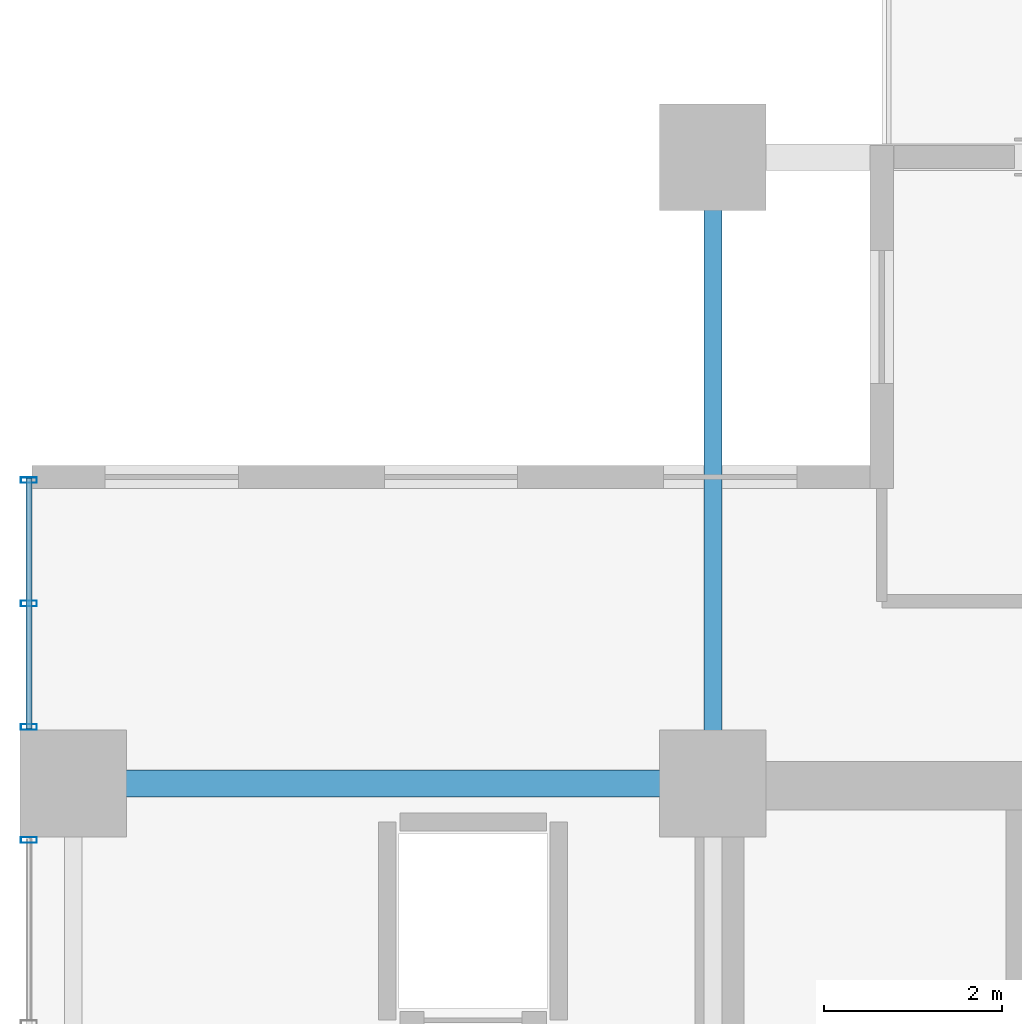
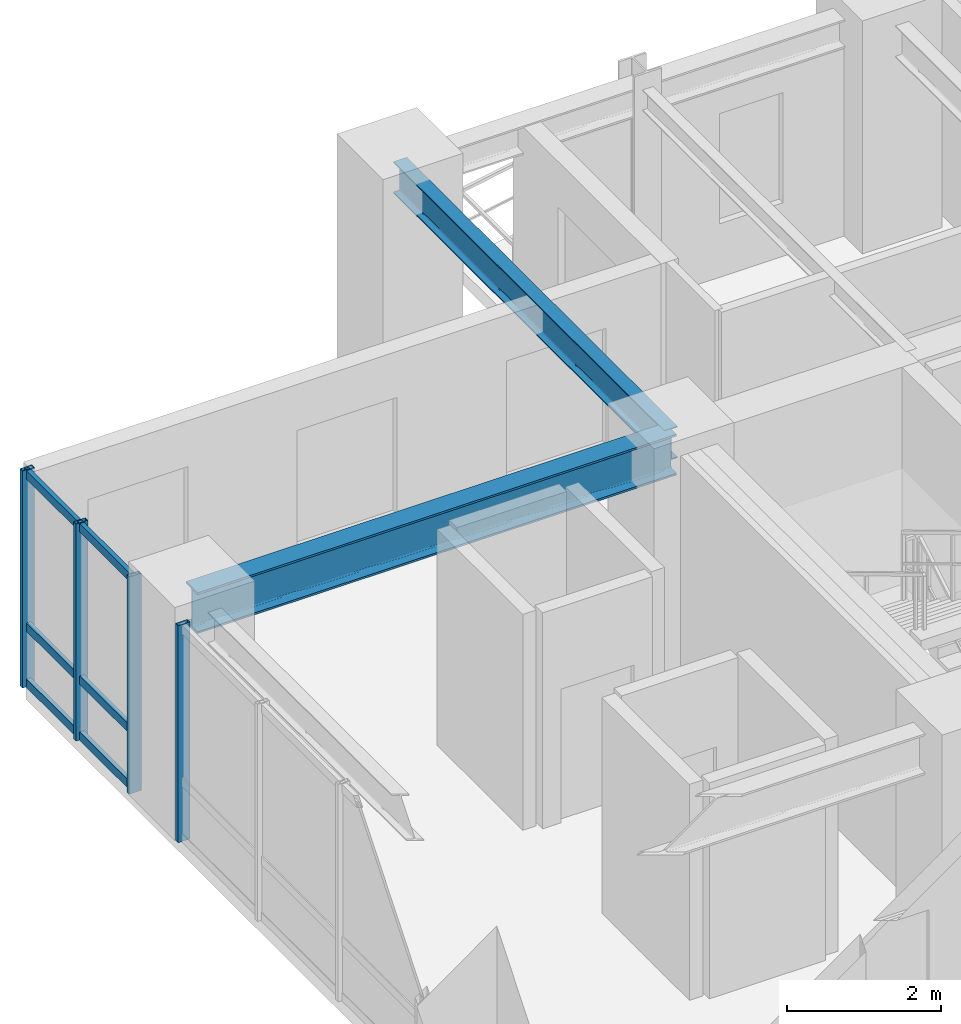
# One storey, part 6 of 17: 7 members, 2 beams, 2 elements without a shape of their own.
"""IFC4 building model written with IfcOpenShell, lengths in metres."""

from ifc_helpers import new_model, si_unit, direction, frame, origin, origin_2d, place, context, subcontext, project, spatial, hollow_rectangle, i_section, extrude, source, transform, mapped, material, layer, layer_set, material_profile, profile_set, type_object, element, aggregate, save


model = new_model("IFC4")

# Units and contexts
model_context = context("Model", 3, precision=1e-05, world=origin(), true_north=direction((0.0, 1.0)))
body_context = subcontext(model_context, "Body", "Model", "MODEL_VIEW")
ifc_project = project(units=[si_unit("LENGTHUNIT", "METRE"), si_unit("AREAUNIT", "SQUARE_METRE"), si_unit("VOLUMEUNIT", "CUBIC_METRE"), si_unit("PLANEANGLEUNIT", "RADIAN"), si_unit("MASSUNIT", "GRAM", prefix="KILO")], contexts=[model_context])

# Site, building, storey
site_placement = place(None, origin())
site = spatial("IfcSite", under=ifc_project, at=site_placement, CompositionType="ELEMENT")
building_placement = place(site_placement, origin())
building = spatial("IfcBuilding", under=site, at=building_placement, Name="Kaliganga Portal Commons", CompositionType="ELEMENT")
storey_placement = place(building_placement, frame((0.0, 0.0, 108.199951171875)))
storey = spatial("IfcBuildingStorey", under=building, at=storey_placement, Name="L27", CompositionType="ELEMENT", Elevation=108.199951171875)

# Beams
ifc_material_1 = material(Name="Structural steel S355J2", Category="steel")
ifc_material_profile_1 = material_profile(ifc_material_1, i_section(OverallWidth=0.300048828125, OverallDepth=0.64990234375, WebThickness=0.01611328125, FlangeThickness=0.031005859375, FilletRadius=0.027099609375, at=origin_2d()), Name="HE 650 B")
ifc_profile_set_1 = profile_set([ifc_material_profile_1], Name="Structural steel S355J2 wide-flange")
beam_type_1 = type_object("IfcBeamType", Name="BM-GIRD-650", PredefinedType="USERDEFINED", material=ifc_profile_set_1)
shared_shape_1 = source(origin(), body_context, "Body", "SweptSolid", [
    extrude(i_section(OverallWidth=0.300048828125, OverallDepth=0.64990234375, WebThickness=0.01611328125, FlangeThickness=0.031005859375, FilletRadius=0.027099609375, at=origin_2d()), origin(), (0.0, 0.0, 1.0), 7.199951171875),
])
beam_1_placement = place(storey_placement, frame((7.199951171875, 36.14990234375, 3.125), z_axis=(1.0, 0.0, 0.0), x_axis=(0.0, 1.0, 0.0)))
element("IfcBeam", 1, at=beam_1_placement, inside=storey, type_object=beam_type_1, Name="BM G L27 WAH_N 1", ObjectType="GIRDER", PredefinedType="USERDEFINED", context=body_context, shape_type="MappedRepresentation", body=[
    mapped(shared_shape_1, transform((0.0, 0.0, 0.0), x_axis=(1.0, 0.0, 0.0), y_axis=(0.0, 1.0, 0.0), z_axis=(0.0, 0.0, 1.0), scale=1.0)),
])
ifc_material_profile_2 = material_profile(ifc_material_1, i_section(OverallWidth=0.199951171875, OverallDepth=0.5, WebThickness=0.01025390625, FlangeThickness=0.01611328125, FilletRadius=0.02099609375, at=origin_2d()), Name="IPE 500")
ifc_profile_set_2 = profile_set([ifc_material_profile_2], Name="Structural steel S355J2 wide-flange")
beam_type_2 = type_object("IfcBeamType", Name="BM-FLR-500", PredefinedType="BEAM", material=ifc_profile_set_2)
shared_shape_2 = source(origin(), body_context, "Body", "SweptSolid", [
    extrude(i_section(OverallWidth=0.199951171875, OverallDepth=0.5, WebThickness=0.01025390625, FlangeThickness=0.01611328125, FilletRadius=0.02099609375, at=origin_2d()), origin(), (0.0, 0.0, 1.0), 7.050048828125),
])
beam_2_placement = place(storey_placement, frame((14.39990234375, 36.14990234375, 3.199951171875), z_axis=(0.0, 1.0, 0.0), x_axis=(-1.0, 0.0, 0.0)))
element("IfcBeam", 2, at=beam_2_placement, inside=storey, type_object=beam_type_2, Name="BM G L27 AN144", PredefinedType="BEAM", context=body_context, shape_type="MappedRepresentation", body=[
    mapped(shared_shape_2, transform((0.0, 0.0, 0.0), x_axis=(1.0, 0.0, 0.0), y_axis=(0.0, 1.0, 0.0), z_axis=(0.0, 0.0, 1.0), scale=1.0)),
])

# Curtain wall, members
ifc_material_2 = material(Name="Anodized Aluminium and Laminated Low-E Glass", Category="aluminium")
ifc_layer = layer(ifc_material_2, 0.199951171875)
ifc_layer_set = layer_set([ifc_layer], Name="Anodized Aluminium and Laminated Low-E Glass")
curtain_wall_type = type_object("IfcCurtainWallType", Name="CW-SYS-02", PredefinedType="NOTDEFINED", material=ifc_layer_set)
curtain_wall_1_placement = place(storey_placement, origin())
curtain_wall_1 = element("IfcCurtainWall", 3, at=curtain_wall_1_placement, inside=storey, type_object=curtain_wall_type, Name="CW 02 L27 P1E09S1", PredefinedType="NOTDEFINED")
ifc_material_3 = material(Name="Dark Bronze Anodized Aluminium", Category="aluminium")
ifc_material_profile_3 = material_profile(ifc_material_3, hollow_rectangle(XDim=0.06494140625, YDim=0.179931640625, WallThickness=0.00390625, at=origin_2d()), Name="ALU MULL 65x180x4")
ifc_profile_set_3 = profile_set([ifc_material_profile_3], Name="Dark Bronze Anodized Aluminium")
member_type_1 = type_object("IfcMemberType", Name="CW-MUL-180", PredefinedType="MULLION", material=ifc_profile_set_3)
shared_shape_3 = source(origin(), body_context, "Body", "SweptSolid", [
    extrude(hollow_rectangle(XDim=0.06494140625, YDim=0.179931640625, WallThickness=0.00390625, at=origin_2d()), origin(), (0.0, 0.0, 1.0), 3.449951171875),
])
member_1_placement = place(storey_placement, frame((6.699951171875, 39.56494140625, 0.0), z_axis=(0.0, 0.0, 1.0), x_axis=(0.0, -1.0, 0.0)))
member_1 = element("IfcMember", 4, at=member_1_placement, type_object=member_type_1, Name="CW:02:L27:P1E09S1 Mullion 00", PredefinedType="MULLION", context=body_context, shape_type="MappedRepresentation", body=[
    mapped(shared_shape_3, transform((0.0, 0.0, 0.0), x_axis=(1.0, 0.0, 0.0), y_axis=(0.0, 1.0, 0.0), z_axis=(0.0, 0.0, 1.0), scale=1.0)),
])
member_2_placement = place(storey_placement, frame((6.699951171875, 38.175537109375, 0.0), z_axis=(0.0, 0.0, 1.0), x_axis=(0.0, -1.0, 0.0)))
member_2 = element("IfcMember", 5, at=member_2_placement, type_object=member_type_1, Name="CW:02:L27:P1E09S1 Mullion 01", PredefinedType="MULLION", context=body_context, shape_type="MappedRepresentation", body=[
    mapped(shared_shape_3, transform((0.0, 0.0, 0.0), x_axis=(1.0, 0.0, 0.0), y_axis=(0.0, 1.0, 0.0), z_axis=(0.0, 0.0, 1.0), scale=1.0)),
])
member_3_placement = place(storey_placement, frame((6.699951171875, 36.785888671875, 0.0), z_axis=(0.0, 0.0, 1.0), x_axis=(0.0, -1.0, 0.0)))
member_3 = element("IfcMember", 6, at=member_3_placement, type_object=member_type_1, Name="CW:02:L27:P1E09S1 Mullion 02", PredefinedType="MULLION", context=body_context, shape_type="MappedRepresentation", body=[
    mapped(shared_shape_3, transform((0.0, 0.0, 0.0), x_axis=(1.0, 0.0, 0.0), y_axis=(0.0, 1.0, 0.0), z_axis=(0.0, 0.0, 1.0), scale=1.0)),
])

# Curtain wall, member
curtain_wall_2_placement = place(storey_placement, origin())
curtain_wall_2 = element("IfcCurtainWall", 7, at=curtain_wall_2_placement, inside=storey, type_object=curtain_wall_type, Name="CW 02 L27 P1E09S2", PredefinedType="NOTDEFINED")
member_4_placement = place(storey_placement, frame((6.699951171875, 35.513916015625, 0.0), z_axis=(0.0, 0.0, 1.0), x_axis=(0.0, -1.0, 0.0)))
member_4 = element("IfcMember", 8, at=member_4_placement, type_object=member_type_1, Name="CW:02:L27:P1E09S2 Mullion 00", PredefinedType="MULLION", context=body_context, shape_type="MappedRepresentation", body=[
    mapped(shared_shape_3, transform((0.0, 0.0, 0.0), x_axis=(1.0, 0.0, 0.0), y_axis=(0.0, 1.0, 0.0), z_axis=(0.0, 0.0, 1.0), scale=1.0)),
])
aggregate(curtain_wall_2, [member_4])

# Member
ifc_material_profile_4 = material_profile(ifc_material_3, hollow_rectangle(XDim=0.06494140625, YDim=0.135009765625, WallThickness=0.00341796875, at=origin_2d()), Name="ALU TRAN 65x135x3.5")
ifc_profile_set_4 = profile_set([ifc_material_profile_4], Name="Dark Bronze Anodized Aluminium")
member_type_2 = type_object("IfcMemberType", Name="CW-TRN-135", PredefinedType="USERDEFINED", material=ifc_profile_set_4)
shared_shape_4 = source(origin(), body_context, "Body", "SweptSolid", [
    extrude(hollow_rectangle(XDim=0.06494140625, YDim=0.135009765625, WallThickness=0.00341796875, at=origin_2d()), origin(), (0.0, 0.0, 1.0), 2.80908203125),
])
member_5_placement = place(storey_placement, frame((6.699951171875, 39.580078125, 0.06005859375), z_axis=(0.0, -1.0, 0.0), x_axis=(1.0, 0.0, 0.0)))
member_5 = element("IfcMember", 9, at=member_5_placement, type_object=member_type_2, Name="CW:02:L27:P1E09S1 Transom 1", ObjectType="TRANSOM", PredefinedType="USERDEFINED", context=body_context, shape_type="MappedRepresentation", body=[
    mapped(shared_shape_4, transform((0.0, 0.0, 0.0), x_axis=(1.0, 0.0, 0.0), y_axis=(0.0, 1.0, 0.0), z_axis=(0.0, 0.0, 1.0), scale=1.0)),
])

member_6_placement = place(storey_placement, frame((6.699951171875, 39.580078125, 0.949951171875), z_axis=(0.0, -1.0, 0.0), x_axis=(1.0, 0.0, 0.0)))
member_6 = element("IfcMember", 10, at=member_6_placement, type_object=member_type_2, Name="CW:02:L27:P1E09S1 Transom 2", ObjectType="TRANSOM", PredefinedType="USERDEFINED", context=body_context, shape_type="MappedRepresentation", body=[
    mapped(shared_shape_4, transform((0.0, 0.0, 0.0), x_axis=(1.0, 0.0, 0.0), y_axis=(0.0, 1.0, 0.0), z_axis=(0.0, 0.0, 1.0), scale=1.0)),
])

member_7_placement = place(storey_placement, frame((6.699951171875, 39.580078125, 3.3701171875), z_axis=(0.0, -1.0, 0.0), x_axis=(1.0, 0.0, 0.0)))
member_7 = element("IfcMember", 11, at=member_7_placement, type_object=member_type_2, Name="CW:02:L27:P1E09S1 Transom 3", ObjectType="TRANSOM", PredefinedType="USERDEFINED", context=body_context, shape_type="MappedRepresentation", body=[
    mapped(shared_shape_4, transform((0.0, 0.0, 0.0), x_axis=(1.0, 0.0, 0.0), y_axis=(0.0, 1.0, 0.0), z_axis=(0.0, 0.0, 1.0), scale=1.0)),
])

aggregate(curtain_wall_1, [member_1, member_2, member_3, member_5, member_6, member_7])

save(model, "model.ifc")
